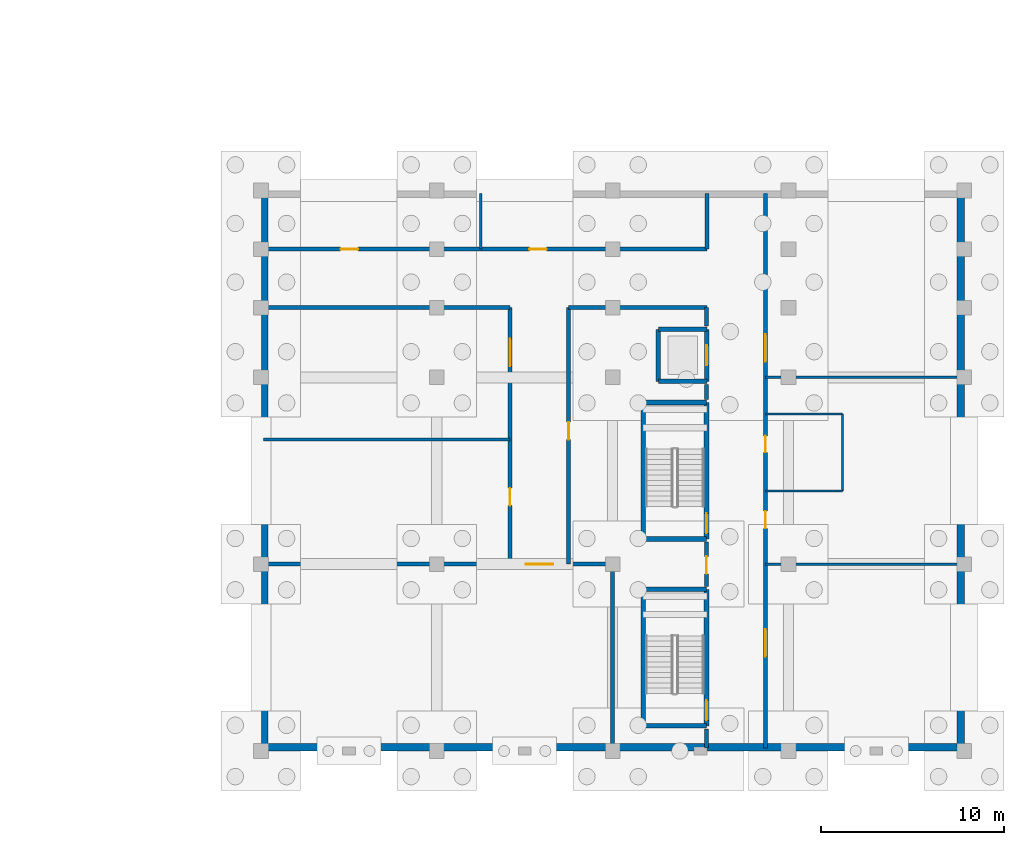
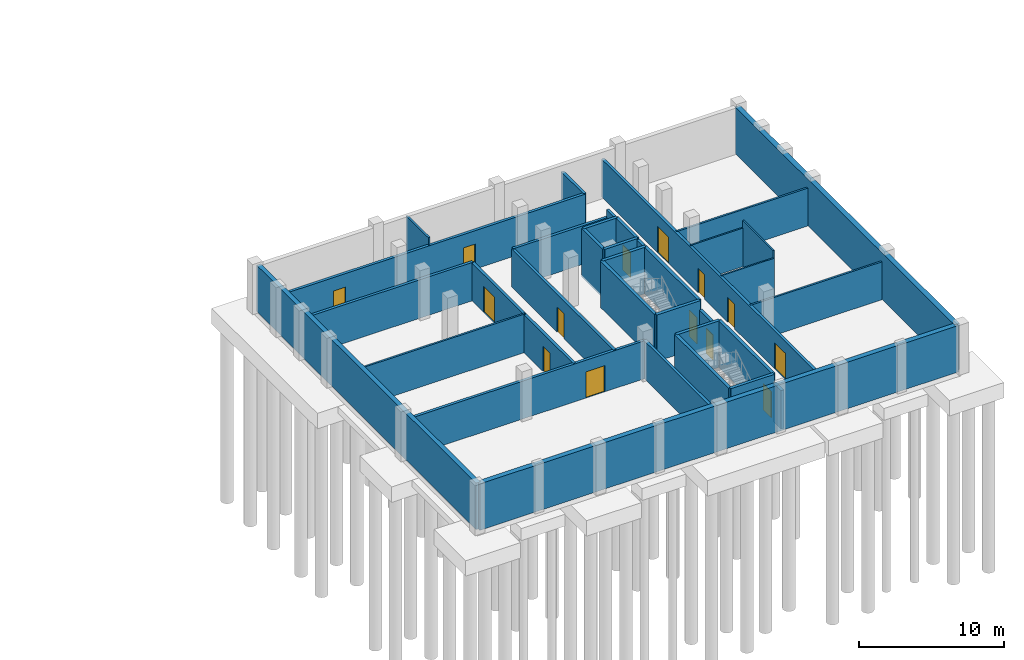
# One storey, part 12 of 18: 35 walls, 14 doors, 14 openings.
"""IFC4 building model written with IfcOpenShell, lengths in metres."""

from ifc_helpers import new_model, si_unit, direction, frame, frame_2d, origin, place, context, subcontext, project, spatial, rectangle, extrude, material, layer, layer_set, type_object, element, fill, save


model = new_model("IFC4")

# Units and contexts
model_context = context("Model", 3, precision=1e-05, world=origin(), true_north=direction((0.0, 1.0)))
body_context = subcontext(model_context, "Body", "Model", "MODEL_VIEW")
ifc_project = project(units=[si_unit("LENGTHUNIT", "METRE"), si_unit("AREAUNIT", "SQUARE_METRE"), si_unit("VOLUMEUNIT", "CUBIC_METRE"), si_unit("PLANEANGLEUNIT", "RADIAN"), si_unit("MASSUNIT", "GRAM", prefix="KILO")], contexts=[model_context])

# Site, building, storey
site_placement = place(None, origin())
site = spatial("IfcSite", under=ifc_project, at=site_placement, CompositionType="ELEMENT")
building_placement = place(site_placement, origin())
building = spatial("IfcBuilding", under=site, at=building_placement, Name="Vondelvale Polytechnic", CompositionType="ELEMENT")
storey_placement = place(building_placement, frame((0.0, 0.0, -4.199951171875)))
storey = spatial("IfcBuildingStorey", under=building, at=storey_placement, Name="B1", CompositionType="ELEMENT", Elevation=-4.199951171875)

# Wall, opening, door
ifc_material_1 = material(Name="Concrete N40 (f'c = 40 MPa)", Category="concrete")
ifc_layer_1 = layer(ifc_material_1, 0.25)
ifc_layer_set_1 = layer_set([ifc_layer_1], Name="WL-CORE-250")
wall_type_1 = type_object("IfcWallType", Name="WL-CORE-250", PredefinedType="SOLIDWALL", material=ifc_layer_set_1)
wall_1_placement = place(storey_placement, frame((158.72509765625, 1.375, 0.0), z_axis=(0.0, 0.0, 1.0), x_axis=(0.0, 1.0, 0.0)))
wall_1 = element("IfcWall", 1, at=wall_1_placement, inside=storey, type_object=wall_type_1, Name="B1 ST-06 reinforced concrete stair core wall", PredefinedType="SOLIDWALL", context=body_context, shape_type="SweptSolid", body=[
    extrude(rectangle(XDim=7.449951171875, YDim=0.25, at=frame_2d((3.72509765625, 0.0))), origin(), (0.0, 0.0, 1.0), 3.89990234375),
])
opening_1_placement = place(wall_1_placement, frame((0.300048828125, 0.0, 0.0)))
opening_1 = element("IfcOpeningElement", 2, at=opening_1_placement, cuts=wall_1, Name="Opening SD-033", PredefinedType="OPENING", context=body_context, shape_type="SweptSolid", body=[
    extrude(rectangle(XDim=1.10009765625, YDim=2.199951171875, at=frame_2d((0.550048828125, 1.10009765625))), frame((0.0, 0.135009765625, 0.0), z_axis=(0.0, -1.0, 0.0), x_axis=(1.0, 0.0, 0.0)), (0.0, 0.0, 1.0), 0.27001953125),
])
ifc_material_2 = material(Name="Brushed architectural stainless and zinc-coated metal")
door_type_1 = type_object("IfcDoorType", Name="DR-STAIR-1100x2200", OperationType="SINGLE_SWING_LEFT", PredefinedType="DOOR", material=ifc_material_2)
door_1_placement = place(opening_1_placement, origin())
door_1 = element("IfcDoor", 3, at=door_1_placement, inside=storey, type_object=door_type_1, Name="B1 ST-06 fire-isolated stair door", OperationType="SINGLE_SWING_LEFT", OverallHeight=2.199951171875, OverallWidth=1.10009765625, PredefinedType="DOOR", context=body_context, shape_type="SweptSolid", body=[
    extrude(rectangle(XDim=1.10009765625, YDim=2.199951171875, at=frame_2d((0.550048828125, 1.10009765625))), frame((0.0, 0.02490234375, 0.0), z_axis=(0.0, -1.0, 0.0), x_axis=(1.0, 0.0, 0.0)), (0.0, 0.0, 1.0), 0.050048828125),
])
fill(opening_1, door_1)

# Walls
wall_2_placement = place(storey_placement, frame((158.72509765625, 8.824951171875, 0.0), z_axis=(0.0, 0.0, 1.0), x_axis=(-1.0, 0.0, 0.0)))
element("IfcWall", 4, at=wall_2_placement, inside=storey, type_object=wall_type_1, Name="B1 ST-06 reinforced concrete stair core wall", PredefinedType="SOLIDWALL", context=body_context, shape_type="SweptSolid", body=[
    extrude(rectangle(XDim=3.4501953125, YDim=0.25, at=frame_2d((1.72509765625, 0.0))), origin(), (0.0, 0.0, 1.0), 3.89990234375),
])
wall_3_placement = place(storey_placement, frame((155.27490234375, 8.824951171875, 0.0), z_axis=(0.0, 0.0, 1.0), x_axis=(0.0, -1.0, 0.0)))
element("IfcWall", 5, at=wall_3_placement, inside=storey, type_object=wall_type_1, Name="B1 ST-06 reinforced concrete stair core wall", PredefinedType="SOLIDWALL", context=body_context, shape_type="SweptSolid", body=[
    extrude(rectangle(XDim=7.449951171875, YDim=0.25, at=frame_2d((3.72509765625, 0.0))), origin(), (0.0, 0.0, 1.0), 3.89990234375),
])
wall_4_placement = place(storey_placement, frame((155.27490234375, 1.375, 0.0), z_axis=(0.0, 0.0, 1.0), x_axis=(1.0, 0.0, 0.0)))
element("IfcWall", 6, at=wall_4_placement, inside=storey, type_object=wall_type_1, Name="B1 ST-06 reinforced concrete stair core wall", PredefinedType="SOLIDWALL", context=body_context, shape_type="SweptSolid", body=[
    extrude(rectangle(XDim=3.4501953125, YDim=0.25, at=frame_2d((1.72509765625, 0.0))), origin(), (0.0, 0.0, 1.0), 3.89990234375),
])

# Wall, opening, door
wall_5_placement = place(storey_placement, frame((158.72509765625, 11.574951171875, 0.0), z_axis=(0.0, 0.0, 1.0), x_axis=(0.0, 1.0, 0.0)))
wall_5 = element("IfcWall", 7, at=wall_5_placement, inside=storey, type_object=wall_type_1, Name="B1 ST-07 reinforced concrete stair core wall", PredefinedType="SOLIDWALL", context=body_context, shape_type="SweptSolid", body=[
    extrude(rectangle(XDim=7.449951171875, YDim=0.25, at=frame_2d((3.72509765625, 0.0))), origin(), (0.0, 0.0, 1.0), 3.89990234375),
])
opening_2_placement = place(wall_5_placement, frame((0.300048828125, 0.0, 0.0)))
opening_2 = element("IfcOpeningElement", 8, at=opening_2_placement, cuts=wall_5, Name="Opening SD-039", PredefinedType="OPENING", context=body_context, shape_type="SweptSolid", body=[
    extrude(rectangle(XDim=1.10009765625, YDim=2.199951171875, at=frame_2d((0.550048828125, 1.10009765625))), frame((0.0, 0.135009765625, 0.0), z_axis=(0.0, -1.0, 0.0), x_axis=(1.0, 0.0, 0.0)), (0.0, 0.0, 1.0), 0.27001953125),
])
door_2_placement = place(opening_2_placement, origin())
door_2 = element("IfcDoor", 9, at=door_2_placement, inside=storey, type_object=door_type_1, Name="B1 ST-07 fire-isolated stair door", OperationType="SINGLE_SWING_LEFT", OverallHeight=2.199951171875, OverallWidth=1.10009765625, PredefinedType="DOOR", context=body_context, shape_type="SweptSolid", body=[
    extrude(rectangle(XDim=1.10009765625, YDim=2.199951171875, at=frame_2d((0.550048828125, 1.10009765625))), frame((0.0, 0.02490234375, 0.0), z_axis=(0.0, -1.0, 0.0), x_axis=(1.0, 0.0, 0.0)), (0.0, 0.0, 1.0), 0.050048828125),
])
fill(opening_2, door_2)

# Walls
wall_6_placement = place(storey_placement, frame((158.72509765625, 19.02490234375, 0.0), z_axis=(0.0, 0.0, 1.0), x_axis=(-1.0, 0.0, 0.0)))
element("IfcWall", 10, at=wall_6_placement, inside=storey, type_object=wall_type_1, Name="B1 ST-07 reinforced concrete stair core wall", PredefinedType="SOLIDWALL", context=body_context, shape_type="SweptSolid", body=[
    extrude(rectangle(XDim=3.4501953125, YDim=0.25, at=frame_2d((1.72509765625, 0.0))), origin(), (0.0, 0.0, 1.0), 3.89990234375),
])
wall_7_placement = place(storey_placement, frame((155.27490234375, 19.02490234375, 0.0), z_axis=(0.0, 0.0, 1.0), x_axis=(0.0, -1.0, 0.0)))
element("IfcWall", 11, at=wall_7_placement, inside=storey, type_object=wall_type_1, Name="B1 ST-07 reinforced concrete stair core wall", PredefinedType="SOLIDWALL", context=body_context, shape_type="SweptSolid", body=[
    extrude(rectangle(XDim=7.449951171875, YDim=0.25, at=frame_2d((3.72509765625, 0.0))), origin(), (0.0, 0.0, 1.0), 3.89990234375),
])
wall_8_placement = place(storey_placement, frame((155.27490234375, 11.574951171875, 0.0), z_axis=(0.0, 0.0, 1.0), x_axis=(1.0, 0.0, 0.0)))
element("IfcWall", 12, at=wall_8_placement, inside=storey, type_object=wall_type_1, Name="B1 ST-07 reinforced concrete stair core wall", PredefinedType="SOLIDWALL", context=body_context, shape_type="SweptSolid", body=[
    extrude(rectangle(XDim=3.4501953125, YDim=0.25, at=frame_2d((1.72509765625, 0.0))), origin(), (0.0, 0.0, 1.0), 3.89990234375),
])

# Wall, opening, door
ifc_material_3 = material(Name="Fire-rated double-layer plasterboard stud partition")
ifc_layer_2 = layer(ifc_material_3, 0.219970703125)
ifc_layer_set_2 = layer_set([ifc_layer_2], Name="WL-CORR-220")
wall_type_2 = type_object("IfcWallType", Name="WL-CORR-220", PredefinedType="PARTITIONING", material=ifc_layer_set_2)
wall_9_placement = place(storey_placement, frame((134.550048828125, 10.199951171875, 0.0), z_axis=(0.0, 0.0, 1.0), x_axis=(1.0, 0.0, 0.0)))
wall_9 = element("IfcWall", 13, at=wall_9_placement, inside=storey, type_object=wall_type_2, Name="B1 interior acoustic partition", PredefinedType="PARTITIONING", context=body_context, shape_type="SweptSolid", body=[
    extrude(rectangle(XDim=19.050048828125, YDim=0.219970703125, at=frame_2d((9.52490234375, 0.0))), origin(), (0.0, 0.0, 1.0), 3.179931640625),
])
opening_3_placement = place(wall_9_placement, frame((14.300048828125, 0.0, 0.0)))
opening_3 = element("IfcOpeningElement", 14, at=opening_3_placement, cuts=wall_9, Name="Opening ID-0213", PredefinedType="OPENING", context=body_context, shape_type="SweptSolid", body=[
    extrude(rectangle(XDim=1.5, YDim=2.199951171875, at=frame_2d((0.75, 1.10009765625))), frame((0.0, 0.119873046875, 0.0), z_axis=(0.0, -1.0, 0.0), x_axis=(1.0, 0.0, 0.0)), (0.0, 0.0, 1.0), 0.239990234375),
])
ifc_material_4 = material(Name="Fire-rated solid Tasmanian oak joinery")
door_type_2 = type_object("IfcDoorType", Name="DR-LAB-1500x2200", OperationType="DOUBLE_DOOR_SINGLE_SWING", PredefinedType="DOOR", material=ifc_material_4)
door_3_placement = place(opening_3_placement, origin())
door_3 = element("IfcDoor", 15, at=door_3_placement, inside=storey, type_object=door_type_2, Name="B1 interior room door ID-0213", OperationType="DOUBLE_DOOR_SINGLE_SWING", OverallHeight=2.199951171875, OverallWidth=1.5, PredefinedType="DOOR", context=body_context, shape_type="SweptSolid", body=[
    extrude(rectangle(XDim=1.5, YDim=2.199951171875, at=frame_2d((0.75, 1.10009765625))), frame((0.0, 0.02490234375, 0.0), z_axis=(0.0, -1.0, 0.0), x_axis=(1.0, 0.0, 0.0)), (0.0, 0.0, 1.0), 0.050048828125),
])
fill(opening_3, door_3)

# Wall
wall_10_placement = place(storey_placement, frame((153.60009765625, 0.14990234375, 0.0), z_axis=(0.0, 0.0, 1.0), x_axis=(0.0, 1.0, 0.0)))
element("IfcWall", 16, at=wall_10_placement, inside=storey, type_object=wall_type_2, Name="B1 interior acoustic partition", PredefinedType="PARTITIONING", context=body_context, shape_type="SweptSolid", body=[
    extrude(rectangle(XDim=10.050048828125, YDim=0.219970703125, at=frame_2d((5.02490234375, 0.0))), origin(), (0.0, 0.0, 1.0), 3.179931640625),
])

# Wall, openings, doors
wall_11_placement = place(storey_placement, frame((148.0, 10.199951171875, 0.0), z_axis=(0.0, 0.0, 1.0), x_axis=(0.0, 1.0, 0.0)))
wall_11 = element("IfcWall", 17, at=wall_11_placement, inside=storey, type_object=wall_type_2, Name="B1 interior acoustic partition", PredefinedType="PARTITIONING", context=body_context, shape_type="SweptSolid", body=[
    extrude(rectangle(XDim=14.0, YDim=0.219970703125, at=frame_2d((7.0, 0.0))), origin(), (0.0, 0.0, 1.0), 3.179931640625),
])
opening_4_placement = place(wall_11_placement, frame((3.199951171875, 0.0, 0.0)))
opening_4 = element("IfcOpeningElement", 18, at=opening_4_placement, cuts=wall_11, Name="Opening ID-0214", PredefinedType="OPENING", context=body_context, shape_type="SweptSolid", body=[
    extrude(rectangle(XDim=0.949951171875, YDim=2.10009765625, at=frame_2d((0.47509765625, 1.050048828125))), frame((0.0, 0.119873046875, 0.0), z_axis=(0.0, -1.0, 0.0), x_axis=(1.0, 0.0, 0.0)), (0.0, 0.0, 1.0), 0.239990234375),
])
opening_5_placement = place(wall_11_placement, frame((10.800048828125, 0.0, 0.0)))
opening_5 = element("IfcOpeningElement", 19, at=opening_5_placement, cuts=wall_11, Name="Opening ID-0215", PredefinedType="OPENING", context=body_context, shape_type="SweptSolid", body=[
    extrude(rectangle(XDim=1.5, YDim=2.199951171875, at=frame_2d((0.75, 1.10009765625))), frame((0.0, 0.119873046875, 0.0), z_axis=(0.0, -1.0, 0.0), x_axis=(1.0, 0.0, 0.0)), (0.0, 0.0, 1.0), 0.239990234375),
])
door_type_3 = type_object("IfcDoorType", Name="DR-INT-0950x2100", OperationType="SINGLE_SWING_LEFT", PredefinedType="DOOR", material=ifc_material_4)
door_4_placement = place(opening_4_placement, origin())
door_4 = element("IfcDoor", 20, at=door_4_placement, inside=storey, type_object=door_type_3, Name="B1 interior room door ID-0214", OperationType="SINGLE_SWING_RIGHT", OverallHeight=2.10009765625, OverallWidth=0.949951171875, PredefinedType="DOOR", context=body_context, shape_type="SweptSolid", body=[
    extrude(rectangle(XDim=0.949951171875, YDim=2.10009765625, at=frame_2d((0.47509765625, 1.050048828125))), frame((0.0, 0.02490234375, 0.0), z_axis=(0.0, -1.0, 0.0), x_axis=(1.0, 0.0, 0.0)), (0.0, 0.0, 1.0), 0.050048828125),
])
fill(opening_4, door_4)
door_5_placement = place(opening_5_placement, origin())
door_5 = element("IfcDoor", 21, at=door_5_placement, inside=storey, type_object=door_type_2, Name="B1 interior room door ID-0215", OperationType="DOUBLE_DOOR_SINGLE_SWING", OverallHeight=2.199951171875, OverallWidth=1.5, PredefinedType="DOOR", context=body_context, shape_type="SweptSolid", body=[
    extrude(rectangle(XDim=1.5, YDim=2.199951171875, at=frame_2d((0.75, 1.10009765625))), frame((0.0, 0.02490234375, 0.0), z_axis=(0.0, -1.0, 0.0), x_axis=(1.0, 0.0, 0.0)), (0.0, 0.0, 1.0), 0.050048828125),
])
fill(opening_5, door_5)

# Wall, opening, door
wall_12_placement = place(storey_placement, frame((151.199951171875, 10.199951171875, 0.0), z_axis=(0.0, 0.0, 1.0), x_axis=(0.0, 1.0, 0.0)))
wall_12 = element("IfcWall", 22, at=wall_12_placement, inside=storey, type_object=wall_type_2, Name="B1 interior acoustic partition", PredefinedType="PARTITIONING", context=body_context, shape_type="SweptSolid", body=[
    extrude(rectangle(XDim=14.0, YDim=0.219970703125, at=frame_2d((7.0, 0.0))), origin(), (0.0, 0.0, 1.0), 3.179931640625),
])
opening_6_placement = place(wall_12_placement, frame((6.800048828125, 0.0, 0.0)))
opening_6 = element("IfcOpeningElement", 23, at=opening_6_placement, cuts=wall_12, Name="Opening ID-0216", PredefinedType="OPENING", context=body_context, shape_type="SweptSolid", body=[
    extrude(rectangle(XDim=0.949951171875, YDim=2.10009765625, at=frame_2d((0.47509765625, 1.050048828125))), frame((0.0, 0.119873046875, 0.0), z_axis=(0.0, -1.0, 0.0), x_axis=(1.0, 0.0, 0.0)), (0.0, 0.0, 1.0), 0.239990234375),
])
door_6_placement = place(opening_6_placement, origin())
door_6 = element("IfcDoor", 24, at=door_6_placement, inside=storey, type_object=door_type_3, Name="B1 interior room door ID-0216", OperationType="SINGLE_SWING_RIGHT", OverallHeight=2.10009765625, OverallWidth=0.949951171875, PredefinedType="DOOR", context=body_context, shape_type="SweptSolid", body=[
    extrude(rectangle(XDim=0.949951171875, YDim=2.10009765625, at=frame_2d((0.47509765625, 1.050048828125))), frame((0.0, 0.02490234375, 0.0), z_axis=(0.0, -1.0, 0.0), x_axis=(1.0, 0.0, 0.0)), (0.0, 0.0, 1.0), 0.050048828125),
])
fill(opening_6, door_6)

# Walls
wall_13_placement = place(storey_placement, frame((134.550048828125, 24.199951171875, 0.0), z_axis=(0.0, 0.0, 1.0), x_axis=(1.0, 0.0, 0.0)))
element("IfcWall", 25, at=wall_13_placement, inside=storey, type_object=wall_type_2, Name="B1 interior acoustic partition", PredefinedType="PARTITIONING", context=body_context, shape_type="SweptSolid", body=[
    extrude(rectangle(XDim=13.449951171875, YDim=0.219970703125, at=frame_2d((6.72509765625, 0.0))), origin(), (0.0, 0.0, 1.0), 3.22998046875),
])
wall_14_placement = place(storey_placement, frame((151.199951171875, 24.199951171875, 0.0), z_axis=(0.0, 0.0, 1.0), x_axis=(1.0, 0.0, 0.0)))
element("IfcWall", 26, at=wall_14_placement, inside=storey, type_object=wall_type_2, Name="B1 interior acoustic partition", PredefinedType="PARTITIONING", context=body_context, shape_type="SweptSolid", body=[
    extrude(rectangle(XDim=7.550048828125, YDim=0.219970703125, at=frame_2d((3.77490234375, 0.0))), origin(), (0.0, 0.0, 1.0), 3.22998046875),
])
wall_15_placement = place(storey_placement, frame((158.72509765625, 0.14990234375, 0.0), z_axis=(0.0, 0.0, 1.0), x_axis=(0.0, 1.0, 0.0)))
element("IfcWall", 27, at=wall_15_placement, inside=storey, type_object=wall_type_2, Name="B1 interior acoustic partition", PredefinedType="PARTITIONING", context=body_context, shape_type="SweptSolid", body=[
    extrude(rectangle(XDim=1.06005859375, YDim=0.219970703125, at=frame_2d((0.530029296875, 0.0))), origin(), (0.0, 0.0, 1.0), 3.22998046875),
])

# Wall, opening, door
wall_16_placement = place(storey_placement, frame((158.72509765625, 8.989990234375, 0.0), z_axis=(0.0, 0.0, 1.0), x_axis=(0.0, 1.0, 0.0)))
wall_16 = element("IfcWall", 28, at=wall_16_placement, inside=storey, type_object=wall_type_2, Name="B1 interior acoustic partition", PredefinedType="PARTITIONING", context=body_context, shape_type="SweptSolid", body=[
    extrude(rectangle(XDim=2.419921875, YDim=0.219970703125, at=frame_2d((1.2099609375, 0.0))), origin(), (0.0, 0.0, 1.0), 3.179931640625),
])
opening_7_placement = place(wall_16_placement, frame((0.68505859375, 0.0, 0.0)))
opening_7 = element("IfcOpeningElement", 29, at=opening_7_placement, cuts=wall_16, Name="Opening ID-0217", PredefinedType="OPENING", context=body_context, shape_type="SweptSolid", body=[
    extrude(rectangle(XDim=0.949951171875, YDim=2.10009765625, at=frame_2d((0.47509765625, 1.050048828125))), frame((0.0, 0.119873046875, 0.0), z_axis=(0.0, -1.0, 0.0), x_axis=(1.0, 0.0, 0.0)), (0.0, 0.0, 1.0), 0.239990234375),
])
door_7_placement = place(opening_7_placement, origin())
door_7 = element("IfcDoor", 30, at=door_7_placement, inside=storey, type_object=door_type_3, Name="B1 interior room door ID-0217", OperationType="SINGLE_SWING_LEFT", OverallHeight=2.10009765625, OverallWidth=0.949951171875, PredefinedType="DOOR", context=body_context, shape_type="SweptSolid", body=[
    extrude(rectangle(XDim=0.949951171875, YDim=2.10009765625, at=frame_2d((0.47509765625, 1.050048828125))), frame((0.0, 0.02490234375, 0.0), z_axis=(0.0, -1.0, 0.0), x_axis=(1.0, 0.0, 0.0)), (0.0, 0.0, 1.0), 0.050048828125),
])
fill(opening_7, door_7)

# Walls
wall_17_placement = place(storey_placement, frame((158.72509765625, 19.18994140625, 0.0), z_axis=(0.0, 0.0, 1.0), x_axis=(0.0, 1.0, 0.0)))
element("IfcWall", 31, at=wall_17_placement, inside=storey, type_object=wall_type_2, Name="B1 interior acoustic partition", PredefinedType="PARTITIONING", context=body_context, shape_type="SweptSolid", body=[
    extrude(rectangle(XDim=0.820068359375, YDim=0.219970703125, at=frame_2d((0.41015625, 0.0))), origin(), (0.0, 0.0, 1.0), 3.849853515625),
])
wall_18_placement = place(storey_placement, frame((158.72509765625, 23.18994140625, 0.0), z_axis=(0.0, 0.0, 1.0), x_axis=(0.0, 1.0, 0.0)))
element("IfcWall", 32, at=wall_18_placement, inside=storey, type_object=wall_type_2, Name="B1 interior acoustic partition", PredefinedType="PARTITIONING", context=body_context, shape_type="SweptSolid", body=[
    extrude(rectangle(XDim=1.010009765625, YDim=0.219970703125, at=frame_2d((0.5048828125, 0.0))), origin(), (0.0, 0.0, 1.0), 3.849853515625),
])

# Wall, openings, doors
wall_19_placement = place(storey_placement, frame((134.550048828125, 27.39990234375, 0.0), z_axis=(0.0, 0.0, 1.0), x_axis=(1.0, 0.0, 0.0)))
wall_19 = element("IfcWall", 33, at=wall_19_placement, inside=storey, type_object=wall_type_2, Name="B1 interior acoustic partition", PredefinedType="PARTITIONING", context=body_context, shape_type="SweptSolid", body=[
    extrude(rectangle(XDim=24.199951171875, YDim=0.219970703125, at=frame_2d((12.10009765625, 0.0))), origin(), (0.0, 0.0, 1.0), 3.22998046875),
])
opening_8_placement = place(wall_19_placement, frame((4.199951171875, 0.0, 0.0)))
opening_8 = element("IfcOpeningElement", 34, at=opening_8_placement, cuts=wall_19, Name="Opening ID-0218", PredefinedType="OPENING", context=body_context, shape_type="SweptSolid", body=[
    extrude(rectangle(XDim=0.949951171875, YDim=2.10009765625, at=frame_2d((0.47509765625, 1.050048828125))), frame((0.0, 0.119873046875, 0.0), z_axis=(0.0, -1.0, 0.0), x_axis=(1.0, 0.0, 0.0)), (0.0, 0.0, 1.0), 0.239990234375),
])
opening_9_placement = place(wall_19_placement, frame((14.5, 0.0, 0.0)))
opening_9 = element("IfcOpeningElement", 35, at=opening_9_placement, cuts=wall_19, Name="Opening ID-0219", PredefinedType="OPENING", context=body_context, shape_type="SweptSolid", body=[
    extrude(rectangle(XDim=0.949951171875, YDim=2.10009765625, at=frame_2d((0.47509765625, 1.050048828125))), frame((0.0, 0.119873046875, 0.0), z_axis=(0.0, -1.0, 0.0), x_axis=(1.0, 0.0, 0.0)), (0.0, 0.0, 1.0), 0.239990234375),
])
door_8_placement = place(opening_8_placement, origin())
door_8 = element("IfcDoor", 36, at=door_8_placement, inside=storey, type_object=door_type_3, Name="B1 interior room door ID-0218", OperationType="SINGLE_SWING_RIGHT", OverallHeight=2.10009765625, OverallWidth=0.949951171875, PredefinedType="DOOR", context=body_context, shape_type="SweptSolid", body=[
    extrude(rectangle(XDim=0.949951171875, YDim=2.10009765625, at=frame_2d((0.47509765625, 1.050048828125))), frame((0.0, 0.02490234375, 0.0), z_axis=(0.0, -1.0, 0.0), x_axis=(1.0, 0.0, 0.0)), (0.0, 0.0, 1.0), 0.050048828125),
])
fill(opening_8, door_8)
door_9_placement = place(opening_9_placement, origin())
door_9 = element("IfcDoor", 37, at=door_9_placement, inside=storey, type_object=door_type_3, Name="B1 interior room door ID-0219", OperationType="SINGLE_SWING_LEFT", OverallHeight=2.10009765625, OverallWidth=0.949951171875, PredefinedType="DOOR", context=body_context, shape_type="SweptSolid", body=[
    extrude(rectangle(XDim=0.949951171875, YDim=2.10009765625, at=frame_2d((0.47509765625, 1.050048828125))), frame((0.0, 0.02490234375, 0.0), z_axis=(0.0, -1.0, 0.0), x_axis=(1.0, 0.0, 0.0)), (0.0, 0.0, 1.0), 0.050048828125),
])
fill(opening_9, door_9)

# Wall
wall_20_placement = place(storey_placement, frame((158.75, 27.39990234375, 0.0), z_axis=(0.0, 0.0, 1.0), x_axis=(0.0, 1.0, 0.0)))
element("IfcWall", 38, at=wall_20_placement, inside=storey, type_object=wall_type_2, Name="B1 interior acoustic partition", PredefinedType="PARTITIONING", context=body_context, shape_type="SweptSolid", body=[
    extrude(rectangle(XDim=3.050048828125, YDim=0.219970703125, at=frame_2d((1.52490234375, 0.0))), origin(), (0.0, 0.0, 1.0), 3.22998046875),
])

# Wall, openings, doors
wall_21_placement = place(storey_placement, frame((161.949951171875, 0.14990234375, 0.0), z_axis=(0.0, 0.0, 1.0), x_axis=(0.0, 1.0, 0.0)))
wall_21 = element("IfcWall", 39, at=wall_21_placement, inside=storey, type_object=wall_type_2, Name="B1 interior acoustic partition", PredefinedType="PARTITIONING", context=body_context, shape_type="SweptSolid", body=[
    extrude(rectangle(XDim=30.300048828125, YDim=0.219970703125, at=frame_2d((15.14990234375, 0.0))), origin(), (0.0, 0.0, 1.0), 3.179931640625),
])
opening_10_placement = place(wall_21_placement, frame((5.0, 0.0, 0.0)))
opening_10 = element("IfcOpeningElement", 40, at=opening_10_placement, cuts=wall_21, Name="Opening ID-0220", PredefinedType="OPENING", context=body_context, shape_type="SweptSolid", body=[
    extrude(rectangle(XDim=1.5, YDim=2.199951171875, at=frame_2d((0.75, 1.10009765625))), frame((0.0, 0.119873046875, 0.0), z_axis=(0.0, -1.0, 0.0), x_axis=(1.0, 0.0, 0.0)), (0.0, 0.0, 1.0), 0.239990234375),
])
opening_11_placement = place(wall_21_placement, frame((12.0, 0.0, 0.0)))
opening_11 = element("IfcOpeningElement", 41, at=opening_11_placement, cuts=wall_21, Name="Opening ID-0221", PredefinedType="OPENING", context=body_context, shape_type="SweptSolid", body=[
    extrude(rectangle(XDim=0.949951171875, YDim=2.10009765625, at=frame_2d((0.47509765625, 1.050048828125))), frame((0.0, 0.119873046875, 0.0), z_axis=(0.0, -1.0, 0.0), x_axis=(1.0, 0.0, 0.0)), (0.0, 0.0, 1.0), 0.239990234375),
])
opening_12_placement = place(wall_21_placement, frame((16.14990234375, 0.0, 0.0)))
opening_12 = element("IfcOpeningElement", 42, at=opening_12_placement, cuts=wall_21, Name="Opening ID-0222", PredefinedType="OPENING", context=body_context, shape_type="SweptSolid", body=[
    extrude(rectangle(XDim=0.89990234375, YDim=2.050048828125, at=frame_2d((0.449951171875, 1.02490234375))), frame((0.0, 0.119873046875, 0.0), z_axis=(0.0, -1.0, 0.0), x_axis=(1.0, 0.0, 0.0)), (0.0, 0.0, 1.0), 0.239990234375),
])
opening_13_placement = place(wall_21_placement, frame((21.10009765625, 0.0, 0.0)))
opening_13 = element("IfcOpeningElement", 43, at=opening_13_placement, cuts=wall_21, Name="Opening ID-0223", PredefinedType="OPENING", context=body_context, shape_type="SweptSolid", body=[
    extrude(rectangle(XDim=1.5, YDim=2.199951171875, at=frame_2d((0.75, 1.10009765625))), frame((0.0, 0.119873046875, 0.0), z_axis=(0.0, -1.0, 0.0), x_axis=(1.0, 0.0, 0.0)), (0.0, 0.0, 1.0), 0.239990234375),
])
door_10_placement = place(opening_11_placement, origin())
door_10 = element("IfcDoor", 44, at=door_10_placement, inside=storey, type_object=door_type_3, Name="B1 interior room door ID-0221", OperationType="SINGLE_SWING_LEFT", OverallHeight=2.10009765625, OverallWidth=0.949951171875, PredefinedType="DOOR", context=body_context, shape_type="SweptSolid", body=[
    extrude(rectangle(XDim=0.949951171875, YDim=2.10009765625, at=frame_2d((0.47509765625, 1.050048828125))), frame((0.0, 0.02490234375, 0.0), z_axis=(0.0, -1.0, 0.0), x_axis=(1.0, 0.0, 0.0)), (0.0, 0.0, 1.0), 0.050048828125),
])
fill(opening_11, door_10)
door_11_placement = place(opening_10_placement, origin())
door_11 = element("IfcDoor", 45, at=door_11_placement, inside=storey, type_object=door_type_2, Name="B1 interior room door ID-0220", OperationType="DOUBLE_DOOR_SINGLE_SWING", OverallHeight=2.199951171875, OverallWidth=1.5, PredefinedType="DOOR", context=body_context, shape_type="SweptSolid", body=[
    extrude(rectangle(XDim=1.5, YDim=2.199951171875, at=frame_2d((0.75, 1.10009765625))), frame((0.0, 0.02490234375, 0.0), z_axis=(0.0, -1.0, 0.0), x_axis=(1.0, 0.0, 0.0)), (0.0, 0.0, 1.0), 0.050048828125),
])
fill(opening_10, door_11)
door_12_placement = place(opening_13_placement, origin())
door_12 = element("IfcDoor", 46, at=door_12_placement, inside=storey, type_object=door_type_2, Name="B1 interior room door ID-0223", OperationType="DOUBLE_DOOR_SINGLE_SWING", OverallHeight=2.199951171875, OverallWidth=1.5, PredefinedType="DOOR", context=body_context, shape_type="SweptSolid", body=[
    extrude(rectangle(XDim=1.5, YDim=2.199951171875, at=frame_2d((0.75, 1.10009765625))), frame((0.0, 0.02490234375, 0.0), z_axis=(0.0, -1.0, 0.0), x_axis=(1.0, 0.0, 0.0)), (0.0, 0.0, 1.0), 0.050048828125),
])
fill(opening_13, door_12)
door_type_4 = type_object("IfcDoorType", Name="DR-WC-0900x2050", OperationType="SINGLE_SWING_RIGHT", PredefinedType="DOOR", material=ifc_material_4)
door_13_placement = place(opening_12_placement, origin())
door_13 = element("IfcDoor", 47, at=door_13_placement, inside=storey, type_object=door_type_4, Name="B1 interior room door ID-0222", OperationType="SINGLE_SWING_RIGHT", OverallHeight=2.050048828125, OverallWidth=0.89990234375, PredefinedType="DOOR", context=body_context, shape_type="SweptSolid", body=[
    extrude(rectangle(XDim=0.89990234375, YDim=2.050048828125, at=frame_2d((0.449951171875, 1.02490234375))), frame((0.0, 0.02490234375, 0.0), z_axis=(0.0, -1.0, 0.0), x_axis=(1.0, 0.0, 0.0)), (0.0, 0.0, 1.0), 0.050048828125),
])
fill(opening_12, door_13)

# Walls
ifc_layer_3 = layer(ifc_material_3, 0.1201171875)
ifc_layer_set_3 = layer_set([ifc_layer_3], Name="WL-INT-120")
wall_type_3 = type_object("IfcWallType", Name="WL-INT-120", PredefinedType="PARTITIONING", material=ifc_layer_set_3)
wall_22_placement = place(storey_placement, frame((161.949951171875, 14.199951171875, 0.0), z_axis=(0.0, 0.0, 1.0), x_axis=(1.0, 0.0, 0.0)))
element("IfcWall", 48, at=wall_22_placement, inside=storey, type_object=wall_type_3, Name="B1 interior acoustic partition", PredefinedType="PARTITIONING", context=body_context, shape_type="SweptSolid", body=[
    extrude(rectangle(XDim=4.199951171875, YDim=0.1201171875, at=frame_2d((2.10009765625, 0.0))), origin(), (0.0, 0.0, 1.0), 3.22998046875),
])
wall_23_placement = place(storey_placement, frame((166.14990234375, 14.199951171875, 0.0), z_axis=(0.0, 0.0, 1.0), x_axis=(0.0, 1.0, 0.0)))
element("IfcWall", 49, at=wall_23_placement, inside=storey, type_object=wall_type_3, Name="B1 interior acoustic partition", PredefinedType="PARTITIONING", context=body_context, shape_type="SweptSolid", body=[
    extrude(rectangle(XDim=4.199951171875, YDim=0.1201171875, at=frame_2d((2.10009765625, 0.0))), origin(), (0.0, 0.0, 1.0), 3.849853515625),
])
wall_24_placement = place(storey_placement, frame((161.949951171875, 18.39990234375, 0.0), z_axis=(0.0, 0.0, 1.0), x_axis=(1.0, 0.0, 0.0)))
element("IfcWall", 50, at=wall_24_placement, inside=storey, type_object=wall_type_3, Name="B1 interior acoustic partition", PredefinedType="PARTITIONING", context=body_context, shape_type="SweptSolid", body=[
    extrude(rectangle(XDim=4.199951171875, YDim=0.1201171875, at=frame_2d((2.10009765625, 0.0))), origin(), (0.0, 0.0, 1.0), 3.22998046875),
])
ifc_layer_4 = layer(ifc_material_3, 0.14990234375)
ifc_layer_set_4 = layer_set([ifc_layer_4], Name="WL-INT-150")
wall_type_4 = type_object("IfcWallType", Name="WL-INT-150", PredefinedType="PARTITIONING", material=ifc_layer_set_4)
wall_25_placement = place(storey_placement, frame((134.550048828125, 17.0, 0.0), z_axis=(0.0, 0.0, 1.0), x_axis=(1.0, 0.0, 0.0)))
element("IfcWall", 51, at=wall_25_placement, inside=storey, type_object=wall_type_4, Name="B1 interior acoustic partition", PredefinedType="PARTITIONING", context=body_context, shape_type="SweptSolid", body=[
    extrude(rectangle(XDim=13.449951171875, YDim=0.14990234375, at=frame_2d((6.72509765625, 0.0))), origin(), (0.0, 0.0, 1.0), 3.22998046875),
])
wall_26_placement = place(storey_placement, frame((146.39990234375, 27.39990234375, 0.0), z_axis=(0.0, 0.0, 1.0), x_axis=(0.0, 1.0, 0.0)))
element("IfcWall", 52, at=wall_26_placement, inside=storey, type_object=wall_type_4, Name="B1 interior acoustic partition", PredefinedType="PARTITIONING", context=body_context, shape_type="SweptSolid", body=[
    extrude(rectangle(XDim=3.050048828125, YDim=0.14990234375, at=frame_2d((1.52490234375, 0.0))), origin(), (0.0, 0.0, 1.0), 3.849853515625),
])
for number, where, z_axis, x_axis, name in (
    (53, (161.949951171875, 10.199951171875, 0.0), (0.0, 0.0, 1.0), (1.0, 0.0, 0.0), "B1 interior acoustic partition"),
    (54, (161.949951171875, 20.39990234375, 0.0), (0.0, 0.0, 1.0), (1.0, 0.0, 0.0), "B1 interior acoustic partition"),
):
    element("IfcWall", number, at=place(storey_placement, frame(where, z_axis=z_axis, x_axis=x_axis)), inside=storey, type_object=wall_type_4, Name=name, PredefinedType="PARTITIONING", context=body_context, shape_type="SweptSolid", body=[
        extrude(rectangle(XDim=10.699951171875, YDim=0.14990234375, at=frame_2d((5.35009765625, 0.0))), origin(), (0.0, 0.0, 1.0), 3.179931640625),
    ])
ifc_layer_5 = layer(ifc_material_1, 0.35009765625)
ifc_layer_set_5 = layer_set([ifc_layer_5], Name="WL-RET-350")
wall_type_5 = type_object("IfcWallType", Name="WL-RET-350", PredefinedType="USERDEFINED", material=ifc_layer_set_5)
wall_27_placement = place(storey_placement, frame((134.60009765625, 0.199951171875, 0.0), z_axis=(0.0, 0.0, 1.0), x_axis=(0.0, 1.0, 0.0)))
element("IfcWall", 55, at=wall_27_placement, inside=storey, type_object=wall_type_5, Name="Basement retaining wall V3-W", ObjectType="RETAININGWALL", PredefinedType="USERDEFINED", context=body_context, shape_type="SweptSolid", body=[
    extrude(rectangle(XDim=30.199951171875, YDim=0.35009765625, at=frame_2d((15.10009765625, 0.0))), origin(), (0.0, 0.0, 1.0), 3.89990234375),
])
ifc_layer_6 = layer(ifc_material_1, 0.39990234375)
ifc_layer_set_6 = layer_set([ifc_layer_6], Name="WL-RET-400")
wall_type_6 = type_object("IfcWallType", Name="WL-RET-400", PredefinedType="USERDEFINED", material=ifc_layer_set_6)
wall_28_placement = place(storey_placement, frame((134.60009765625, 0.199951171875, 0.0), z_axis=(0.0, 0.0, 1.0), x_axis=(1.0, 0.0, 0.0)))
element("IfcWall", 56, at=wall_28_placement, inside=storey, type_object=wall_type_6, Name="Basement retaining wall V3-S", ObjectType="RETAININGWALL", PredefinedType="USERDEFINED", context=body_context, shape_type="SweptSolid", body=[
    extrude(rectangle(XDim=38.0, YDim=0.39990234375, at=frame_2d((19.0, 0.0))), origin(), (0.0, 0.0, 1.0), 3.89990234375),
])
wall_29_placement = place(storey_placement, frame((172.60009765625, 0.199951171875, 0.0), z_axis=(0.0, 0.0, 1.0), x_axis=(0.0, 1.0, 0.0)))
element("IfcWall", 57, at=wall_29_placement, inside=storey, type_object=wall_type_6, Name="Basement retaining wall V3-E", ObjectType="RETAININGWALL", PredefinedType="USERDEFINED", context=body_context, shape_type="SweptSolid", body=[
    extrude(rectangle(XDim=30.199951171875, YDim=0.39990234375, at=frame_2d((15.10009765625, 0.0))), origin(), (0.0, 0.0, 1.0), 3.89990234375),
])
ifc_layer_7 = layer(ifc_material_1, 0.25)
ifc_layer_set_7 = layer_set([ifc_layer_7], Name="WL-SHAFT-250")
wall_type_7 = type_object("IfcWallType", Name="WL-SHAFT-250", PredefinedType="SOLIDWALL", material=ifc_layer_set_7)
wall_30_placement = place(storey_placement, frame((156.10009765625, 20.175048828125, -0.150146484375), z_axis=(0.0, 0.0, 1.0), x_axis=(1.0, 0.0, 0.0)))
element("IfcWall", 58, at=wall_30_placement, inside=storey, type_object=wall_type_7, Name="B1 PL-03 lift shaft wall S", PredefinedType="SOLIDWALL", context=body_context, shape_type="SweptSolid", body=[
    extrude(rectangle(XDim=2.64990234375, YDim=0.25, at=frame_2d((1.324951171875, 0.0))), origin(), (0.0, 0.0, 1.0), 4.050048828125),
])

# Wall, opening, door
wall_31_placement = place(storey_placement, frame((158.75, 20.175048828125, -0.150146484375), z_axis=(0.0, 0.0, 1.0), x_axis=(0.0, 1.0, 0.0)))
wall_31 = element("IfcWall", 59, at=wall_31_placement, inside=storey, type_object=wall_type_7, Name="B1 PL-03 lift shaft wall E", PredefinedType="SOLIDWALL", context=body_context, shape_type="SweptSolid", body=[
    extrude(rectangle(XDim=2.849853515625, YDim=0.25, at=frame_2d((1.4248046875, 0.0))), origin(), (0.0, 0.0, 1.0), 4.050048828125),
])
opening_14_placement = place(wall_31_placement, frame((0.875, 0.0, 0.14990234375)))
opening_14 = element("IfcOpeningElement", 60, at=opening_14_placement, cuts=wall_31, Name="Opening LD-036", PredefinedType="OPENING", context=body_context, shape_type="SweptSolid", body=[
    extrude(rectangle(XDim=1.10009765625, YDim=2.10009765625, at=frame_2d((0.550048828125, 1.050048828125))), frame((0.0, 0.135009765625, 0.0), z_axis=(0.0, -1.0, 0.0), x_axis=(1.0, 0.0, 0.0)), (0.0, 0.0, 1.0), 0.27001953125),
])
door_type_5 = type_object("IfcDoorType", Name="DR-LIFT-1100x2100", OperationType="SLIDING_TO_LEFT", PredefinedType="DOOR", material=ifc_material_2)
door_14_placement = place(opening_14_placement, origin())
door_14 = element("IfcDoor", 61, at=door_14_placement, inside=storey, type_object=door_type_5, Name="B1 PL-03 sliding lift landing door", OperationType="SLIDING_TO_LEFT", OverallHeight=2.10009765625, OverallWidth=1.10009765625, PredefinedType="DOOR", context=body_context, shape_type="SweptSolid", body=[
    extrude(rectangle(XDim=1.10009765625, YDim=2.10009765625, at=frame_2d((0.550048828125, 1.050048828125))), frame((0.0, 0.02490234375, 0.0), z_axis=(0.0, -1.0, 0.0), x_axis=(1.0, 0.0, 0.0)), (0.0, 0.0, 1.0), 0.050048828125),
])
fill(opening_14, door_14)

# Walls
wall_32_placement = place(storey_placement, frame((158.75, 23.02490234375, -0.150146484375), z_axis=(0.0, 0.0, 1.0), x_axis=(-1.0, 0.0, 0.0)))
element("IfcWall", 62, at=wall_32_placement, inside=storey, type_object=wall_type_7, Name="B1 PL-03 lift shaft wall N", PredefinedType="SOLIDWALL", context=body_context, shape_type="SweptSolid", body=[
    extrude(rectangle(XDim=2.64990234375, YDim=0.25, at=frame_2d((1.324951171875, 0.0))), origin(), (0.0, 0.0, 1.0), 4.050048828125),
])
wall_33_placement = place(storey_placement, frame((156.10009765625, 23.02490234375, -0.150146484375), z_axis=(0.0, 0.0, 1.0), x_axis=(0.0, -1.0, 0.0)))
element("IfcWall", 63, at=wall_33_placement, inside=storey, type_object=wall_type_7, Name="B1 PL-03 lift shaft wall W", PredefinedType="SOLIDWALL", context=body_context, shape_type="SweptSolid", body=[
    extrude(rectangle(XDim=2.849853515625, YDim=0.25, at=frame_2d((1.4248046875, 0.0))), origin(), (0.0, 0.0, 1.0), 4.050048828125),
])

save(model, "model.ifc")
